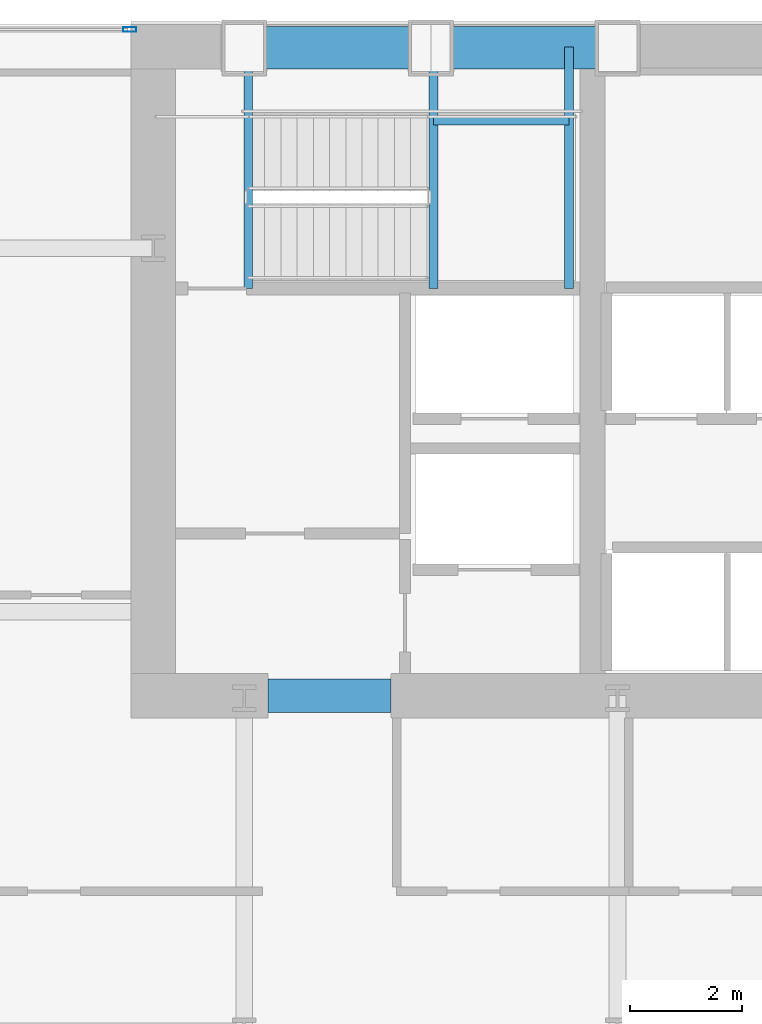
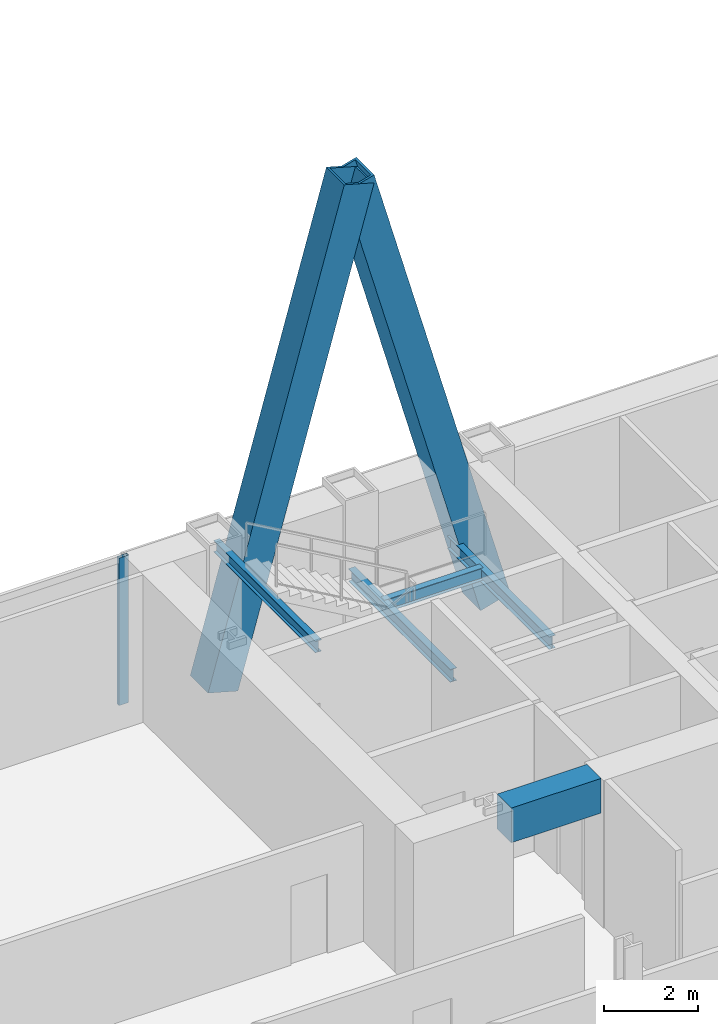
# One storey, part 18 of 36: 5 beams, 3 members, 1 element without a shape of its own.
"""IFC4 building model written with IfcOpenShell, lengths in metres."""

from ifc_helpers import new_model, si_unit, direction, frame, origin, origin_2d, place, context, subcontext, project, spatial, rectangle, hollow_rectangle, i_section, extrude, material, material_profile, profile_set, type_object, element, aggregate, save


model = new_model("IFC4")

# Units and contexts
model_context = context("Model", 3, precision=1e-05, world=origin(), true_north=direction((0.0, 1.0)))
body_context = subcontext(model_context, "Body", "Model", "MODEL_VIEW")
ifc_project = project(units=[si_unit("LENGTHUNIT", "METRE"), si_unit("AREAUNIT", "SQUARE_METRE"), si_unit("VOLUMEUNIT", "CUBIC_METRE"), si_unit("PLANEANGLEUNIT", "RADIAN"), si_unit("MASSUNIT", "GRAM", prefix="KILO")], contexts=[model_context])

# Site, building, storey
site_placement = place(None, origin())
site = spatial("IfcSite", under=ifc_project, at=site_placement, CompositionType="ELEMENT")
building_placement = place(site_placement, origin())
building = spatial("IfcBuilding", under=site, at=building_placement, Name="Khoronbel Lancet Exchange", CompositionType="ELEMENT")
storey_placement = place(building_placement, frame((0.0, 0.0, 49.800048828125)))
storey = spatial("IfcBuildingStorey", under=building, at=storey_placement, Name="L11", CompositionType="ELEMENT", Elevation=49.800048828125)

# Beams
ifc_material_1 = material(Name="Steel S355", Category="steel")
ifc_material_profile_1 = material_profile(ifc_material_1, i_section(OverallWidth=0.159912109375, OverallDepth=0.330078125, WebThickness=0.007568359375, FlangeThickness=0.011474609375, at=origin_2d()), Name="IPE 330")
ifc_profile_set_1 = profile_set([ifc_material_profile_1], Name="Steel S355")
beam_type_1 = type_object("IfcBeamType", Name="BM-BJ7", PredefinedType="JOIST", material=ifc_profile_set_1)
for number, where, z_axis, x_axis, name in (
    (1, (21.610107421875, 48.97998046875, 1.635009765625), (0.0, 1.0, 0.0), (-1.0, 0.0, 0.0), "Level L11 stair ST1 landing bearer beam 1"),
    (2, (24.030029296875, 48.97998046875, 1.635009765625), (0.0, 1.0, 0.0), (-1.0, 0.0, 0.0), "Level L11 stair ST1 rear landing bearer beam 1"),
):
    element("IfcBeam", number, at=place(storey_placement, frame(where, z_axis=z_axis, x_axis=x_axis)), inside=storey, type_object=beam_type_1, Name=name, PredefinedType="JOIST", context=body_context, shape_type="SweptSolid", body=[
        extrude(i_section(OverallWidth=0.159912109375, OverallDepth=0.330078125, WebThickness=0.007568359375, FlangeThickness=0.011474609375, at=origin_2d()), origin(), (0.0, 0.0, 1.0), 4.320068359375),
    ])
beam_1_placement = place(storey_placement, frame((21.610107421875, 51.97998046875, 1.635009765625), z_axis=(1.0, 0.0, 0.0), x_axis=(0.0, 1.0, 0.0)))
element("IfcBeam", 3, at=beam_1_placement, inside=storey, type_object=beam_type_1, Name="Level L11 stair ST1 landing cross trimmer beam 1", PredefinedType="JOIST", context=body_context, shape_type="SweptSolid", body=[
    extrude(i_section(OverallWidth=0.159912109375, OverallDepth=0.330078125, WebThickness=0.007568359375, FlangeThickness=0.011474609375, at=origin_2d()), origin(), (0.0, 0.0, 1.0), 2.419921875),
])
ifc_material_profile_2 = material_profile(ifc_material_1, i_section(OverallWidth=0.14990234375, OverallDepth=0.300048828125, WebThickness=0.007080078125, FlangeThickness=0.0107421875, at=origin_2d()), Name="IPE 300")
ifc_profile_set_2 = profile_set([ifc_material_profile_2], Name="Steel S355")
beam_type_2 = type_object("IfcBeamType", Name="BM-BJ8", PredefinedType="JOIST", material=ifc_profile_set_2)
beam_2_placement = place(storey_placement, frame((18.300048828125, 48.97998046875, 3.5400390625), z_axis=(0.0, 1.0, 0.0), x_axis=(-1.0, 0.0, 0.0)))
element("IfcBeam", 4, at=beam_2_placement, inside=storey, type_object=beam_type_2, Name="Level L11 stair ST1 upper-flight arrival trimmer beam", PredefinedType="JOIST", context=body_context, shape_type="SweptSolid", body=[
    extrude(i_section(OverallWidth=0.14990234375, OverallDepth=0.300048828125, WebThickness=0.007080078125, FlangeThickness=0.0107421875, at=origin_2d()), origin(), (0.0, 0.0, 1.0), 4.320068359375),
])
ifc_material_2 = material(Name="Concrete C80/95", Category="concrete")
ifc_material_profile_3 = material_profile(ifc_material_2, rectangle(XDim=0.60009765625, YDim=0.89990234375, at=origin_2d()), Name="RC 600x900")
ifc_profile_set_3 = profile_set([ifc_material_profile_3], Name="Concrete C80/95")
beam_type_3 = type_object("IfcBeamType", Name="BM-BL1", PredefinedType="LINTEL", material=ifc_profile_set_3)
beam_3_placement = place(storey_placement, frame((18.64990234375, 41.699951171875, 3.369873046875), z_axis=(1.0, 0.0, 0.0), x_axis=(0.0, 1.0, 0.0)))
element("IfcBeam", 5, at=beam_3_placement, inside=storey, type_object=beam_type_3, Name="Level L11 rear core coupling lintel L1", PredefinedType="LINTEL", context=body_context, shape_type="SweptSolid", body=[
    extrude(rectangle(XDim=0.60009765625, YDim=0.89990234375, at=origin_2d()), origin(), (0.0, 0.0, 1.0), 2.2001953125),
])

# Curtain wall, member
ifc_material_3 = material(Name="Low-E Solar Control Insulating Glass", Category="glass")
curtain_wall_type = type_object("IfcCurtainWallType", Name="CW-1", PredefinedType="NOTDEFINED", material=ifc_material_3)
curtain_wall_placement = place(storey_placement, origin())
curtain_wall = element("IfcCurtainWall", 6, at=curtain_wall_placement, inside=storey, type_object=curtain_wall_type, Name="Unitised curtain wall CW-L11-NWFLK", PredefinedType="NOTDEFINED")
ifc_material_4 = material(Name="Bronze-Anodised Aluminium 6063-T6", Category="aluminium")
ifc_material_profile_4 = material_profile(ifc_material_4, hollow_rectangle(XDim=0.0849609375, YDim=0.239990234375, WallThickness=0.006103515625, at=origin_2d()), Name="ALU MULLION 85x240")
ifc_profile_set_4 = profile_set([ifc_material_profile_4], Name="Bronze-Anodised Aluminium 6063-T6")
member_type_1 = type_object("IfcMemberType", Name="MEM-CWM1", PredefinedType="MULLION", material=ifc_profile_set_4)
member_placement = place(storey_placement, frame((16.177490234375, 53.610107421875, 0.0), z_axis=(0.0, 0.0, 1.0), x_axis=(0.0, -1.0, 0.0)))
member = element("IfcMember", 7, at=member_placement, type_object=member_type_1, Name="CW1 mullion 1", PredefinedType="MULLION", context=body_context, shape_type="SweptSolid", body=[
    extrude(hollow_rectangle(XDim=0.0849609375, YDim=0.239990234375, WallThickness=0.006103515625, at=origin_2d()), origin(), (0.0, 0.0, 1.0), 3.820068359375),
])
aggregate(curtain_wall, [member])

# Members
ifc_material_5 = material(Name="Steel S460", Category="steel")
ifc_material_profile_5 = material_profile(ifc_material_5, hollow_rectangle(XDim=0.760009765625, YDim=0.760009765625, WallThickness=0.054931640625, at=origin_2d()), Name="BOX 760x760x55")
ifc_profile_set_5 = profile_set([ifc_material_profile_5], Name="Steel S460")
member_type_2 = type_object("IfcMemberType", Name="MEM-MB1", PredefinedType="BRACE", material=ifc_profile_set_5)
for number, where, z_axis, x_axis, name in (
    (8, (18.22509765625, 53.280029296875, 0.0), (0.267947134133, 0.0, 0.963433616452), (0.0, 1.0, 0.0), "Perimeter lancet brace tier 3 N-W-L"),
    (9, (24.89990234375, 53.280029296875, 0.0), (-0.267947134133, 0.0, 0.963433616452), (0.0, -1.0, 0.0), "Perimeter lancet brace tier 3 N-W-R"),
):
    element("IfcMember", number, at=place(storey_placement, frame(where, z_axis=z_axis, x_axis=x_axis)), inside=storey, type_object=member_type_2, Name=name, PredefinedType="BRACE", context=body_context, shape_type="SweptSolid", body=[
        extrude(hollow_rectangle(XDim=0.760009765625, YDim=0.760009765625, WallThickness=0.054931640625, at=origin_2d()), origin(), (0.0, 0.0, 1.0), 12.45556640625),
    ])

save(model, "model.ifc")
